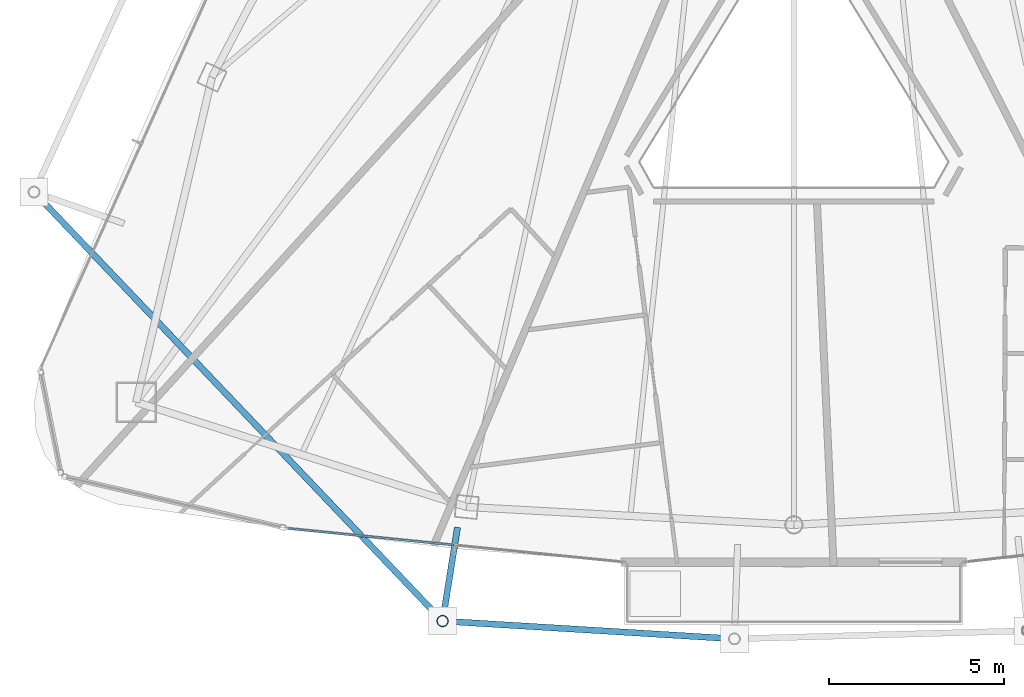
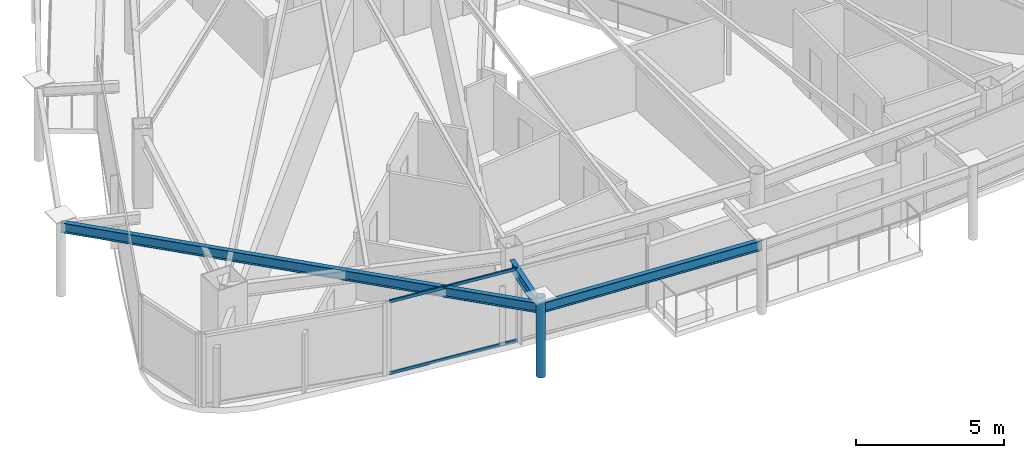
# One storey, part 3 of 30: 3 beams, 3 members, 1 element without a shape of its own.
"""IFC4 building model written with IfcOpenShell, lengths in metres."""

import ifcopenshell
import ifcopenshell.guid

model = None  # the IFC model being written
_history = None  # IfcOwnerHistory: only IFC2X3 demands one
_inside = {}  # id of a spatial element -> (the spatial element, [elements in it])
_under = {}  # id of a project, library or spatial element -> (it, [spatial elements below it])
_declared = {}  # id of a project -> (the project, [libraries it declares])
_typed = {}  # id of a type object -> (the type object, [elements of that type])
_made_of = {}  # id of a material, layer set ... -> (it, [elements and type objects made of it])


def new_model(schema):
    """Start an empty IFC model of exactly this schema.

    Asked for "IFC4X3", IfcOpenShell would pick the latest addendum, in which some entities
    have other attributes; the version numbers below select the first issue.
    IFC2X3 requires an IfcOwnerHistory on every rooted entity: one is made here for all.
    """
    global model, _history
    if schema == "IFC4X3":
        model = ifcopenshell.file(schema_version=(4, 3, 0, 0))
    else:
        model = ifcopenshell.file(schema=schema)
    _inside.clear()
    _under.clear()
    _declared.clear()
    _typed.clear()
    _made_of.clear()
    _history = None
    if model.schema == "IFC2X3":
        org = make("IfcOrganization", Name="unknown")
        user = make(
            "IfcPersonAndOrganization",
            ThePerson=make("IfcPerson", FamilyName="unknown"),
            TheOrganization=org,
        )
        app = make(
            "IfcApplication",
            ApplicationDeveloper=org,
            Version="unknown",
            ApplicationFullName="unknown",
            ApplicationIdentifier="unknown",
        )
        _history = make(
            "IfcOwnerHistory",
            OwningUser=user,
            OwningApplication=app,
            ChangeAction="ADDED",
            CreationDate=0,
        )
    return model


def make(cls, **values):
    """One entity of the class cls with the attributes given. An attribute that is None is left unset."""
    return model.create_entity(
        cls, **{name: value for name, value in values.items() if value is not None}
    )


def rooted(cls, **values):
    """An entity with a GlobalId (a new one), such as an element, a storey or a relation."""
    return make(cls, GlobalId=ifcopenshell.guid.new(), OwnerHistory=_history, **values)


def si_unit(unit_type, name, prefix=None):
    """IfcSIUnit, for example si_unit("LENGTHUNIT", "METRE", prefix="MILLI")."""
    return make("IfcSIUnit", UnitType=unit_type, Prefix=prefix, Name=name)


def assignment(units):
    """IfcUnitAssignment: the units of a project."""
    return None if units is None else make("IfcUnitAssignment", Units=units)


def point(xyz):
    """IfcCartesianPoint."""
    return None if xyz is None else make("IfcCartesianPoint", Coordinates=xyz)


def direction(xyz):
    """IfcDirection."""
    return None if xyz is None else make("IfcDirection", DirectionRatios=xyz)


def frame(location, z_axis=None, x_axis=None):
    """IfcAxis2Placement3D, a coordinate frame: its origin and axes. An axis left out is left unset."""
    return make(
        "IfcAxis2Placement3D",
        Location=point(location),
        Axis=direction(z_axis),
        RefDirection=direction(x_axis),
    )


def frame_2d(location, x_axis=None):
    """IfcAxis2Placement2D, a coordinate frame in the plane: its origin and x axis."""
    return make(
        "IfcAxis2Placement2D", Location=point(location), RefDirection=direction(x_axis)
    )


def origin():
    """The frame at (0, 0, 0) with its axes left unset."""
    return frame((0.0, 0.0, 0.0))


def origin_2d():
    """The frame at (0, 0) in the plane with its x axis left unset."""
    return frame_2d((0.0, 0.0))


def place(relative_to, where):
    """IfcLocalPlacement: puts the frame where relative to a parent placement (None: the world)."""
    return make(
        "IfcLocalPlacement", PlacementRelTo=relative_to, RelativePlacement=where
    )


def context(
    kind, dimensions, precision=None, world=None, true_north=None, identifier=None
):
    """IfcGeometricRepresentationContext, for example the 3D "Model" context."""
    return make(
        "IfcGeometricRepresentationContext",
        ContextIdentifier=identifier,
        ContextType=kind,
        CoordinateSpaceDimension=dimensions,
        Precision=precision,
        WorldCoordinateSystem=world,
        TrueNorth=true_north,
    )


def subcontext(parent, identifier, kind, view, scale=None):
    """IfcGeometricRepresentationSubContext, for example "Body" below "Model"."""
    return make(
        "IfcGeometricRepresentationSubContext",
        ContextIdentifier=identifier,
        ContextType=kind,
        ParentContext=parent,
        TargetScale=scale,
        TargetView=view,
    )


def project(units=None, contexts=None):
    """IfcProject with its units and contexts."""
    return rooted(
        "IfcProject",
        Name="project",
        RepresentationContexts=contexts,
        UnitsInContext=assignment(units),
    )


def spatial(cls, under=None, at=None, **own):
    """A site, building, storey or space (cls), placed at a placement, below another one or the project."""
    s = rooted(cls, ObjectPlacement=at, **own)
    if under is not None:
        _under.setdefault(under.id(), (under, []))[1].append(s)
    return s


def profile(cls, at=None, kind="AREA", **sizes):
    """A parametric profile (cls). Its sizes go by their IFC names, for example OverallWidth=200.0."""
    return make(cls, ProfileType=kind, Position=at, **sizes)


def hollow_rectangle(**sizes):
    """IfcRectangleHollowProfileDef."""
    return profile("IfcRectangleHollowProfileDef", **sizes)


def hollow_circle(**sizes):
    """IfcCircleHollowProfileDef."""
    return profile("IfcCircleHollowProfileDef", **sizes)


def i_section(**sizes):
    """IfcIShapeProfileDef."""
    return profile("IfcIShapeProfileDef", **sizes)


def extrude(swept, where, along, depth):
    """IfcExtrudedAreaSolid: the profile swept, set in the frame where, extruded along a direction by depth."""
    return make(
        "IfcExtrudedAreaSolid",
        SweptArea=swept,
        Position=where,
        ExtrudedDirection=direction(along),
        Depth=depth,
    )


def shape(context_of_items, identifier, shape_type, items):
    """IfcShapeRepresentation: the items that make up one representation, for example the "Body"."""
    return make(
        "IfcShapeRepresentation",
        ContextOfItems=context_of_items,
        RepresentationIdentifier=identifier,
        RepresentationType=shape_type,
        Items=items,
    )


def material(Name=None, Category=None):
    """IfcMaterial."""
    return make("IfcMaterial", Name=Name, Category=Category)


def layer(
    of_material, thickness, ventilated=None, Name=None, Category=None, Priority=None
):
    """IfcMaterialLayer: one layer of a wall or slab, of a material (None: an air gap)."""
    return make(
        "IfcMaterialLayer",
        Material=of_material,
        LayerThickness=thickness,
        IsVentilated=ventilated,
        Name=Name,
        Category=Category,
        Priority=Priority,
    )


def layer_set(layers, Name=None):
    """IfcMaterialLayerSet."""
    return make("IfcMaterialLayerSet", MaterialLayers=layers, LayerSetName=Name)


def material_profile(
    of_material, cross_section, Name=None, Category=None, Priority=None
):
    """IfcMaterialProfile: a cross section and its material."""
    return make(
        "IfcMaterialProfile",
        Name=Name,
        Material=of_material,
        Profile=cross_section,
        Priority=Priority,
        Category=Category,
    )


def profile_set(profiles, Name=None, composite=None):
    """IfcMaterialProfileSet."""
    return make(
        "IfcMaterialProfileSet",
        Name=Name,
        MaterialProfiles=profiles,
        CompositeProfile=composite,
    )


def made_of(thing, what):
    """Note that an element or type object is made of a material, layer set ...; save() writes the relation."""
    if what is not None:
        _made_of.setdefault(what.id(), (what, []))[1].append(thing)
    return thing


def type_object(cls, material=None, **own):
    """A type object (cls), such as IfcWallType, which elements share."""
    return made_of(rooted(cls, **own), material)


def element(
    cls,
    number,
    at=None,
    inside=None,
    cuts=None,
    type_object=None,
    material=None,
    context=None,
    identifier="Body",
    shape_type=None,
    held_by="IfcProductDefinitionShape",
    body=None,
    shapes=None,
    **own,
):
    """One element of the class cls, such as IfcWall. Its Tag is "e" and its number.

    at: its placement. inside: the storey or other place that contains it. cuts: it is an
    opening in that element (IfcRelVoidsElement). A single representation is given by context,
    identifier, shape_type and body (its items); several are given by shapes. held_by: the class
    of the entity that holds the representations. save() writes the other relations.
    """
    e = rooted(cls, Tag="e%d" % number, ObjectPlacement=at, **own)
    if body is not None:
        shapes = [shape(context, identifier, shape_type, body)]
    if shapes is not None:
        e.Representation = make(held_by, Representations=shapes)
    if inside is not None:
        _inside.setdefault(inside.id(), (inside, []))[1].append(e)
    if cuts is not None:
        rooted(
            "IfcRelVoidsElement", RelatingBuildingElement=cuts, RelatedOpeningElement=e
        )
    if type_object is not None:
        _typed.setdefault(type_object.id(), (type_object, []))[1].append(e)
    return made_of(e, material)


def aggregate(whole, parts):
    """IfcRelAggregates: a whole, such as a stair, and the parts it consists of."""
    return rooted("IfcRelAggregates", RelatingObject=whole, RelatedObjects=parts)


def save(model, path):
    """Write the relations noted so far, then the file.

    IfcRelAggregates (storeys below a building ...), IfcRelContainedInSpatialStructure (elements
    in a storey), IfcRelDefinesByType, IfcRelAssociatesMaterial and IfcRelDeclares: one each for
    every whole, place, type object, material and project.
    """
    for whole, parts in _under.values():
        aggregate(whole, parts)
    for where, things in _inside.values():
        rooted(
            "IfcRelContainedInSpatialStructure",
            RelatedElements=things,
            RelatingStructure=where,
        )
    for kind, things in _typed.values():
        rooted("IfcRelDefinesByType", RelatedObjects=things, RelatingType=kind)
    for what, things in _made_of.values():
        rooted("IfcRelAssociatesMaterial", RelatedObjects=things, RelatingMaterial=what)
    for by, libraries in _declared.values():
        rooted("IfcRelDeclares", RelatingContext=by, RelatedDefinitions=libraries)
    model.write(path)


model = new_model("IFC4")

# Units and contexts
model_context = context("Model", 3, precision=1e-05, world=origin(), true_north=direction((0.0, 1.0)))
body_context = subcontext(model_context, "Body", "Model", "MODEL_VIEW")
ifc_project = project(units=[si_unit("LENGTHUNIT", "METRE"), si_unit("AREAUNIT", "SQUARE_METRE"), si_unit("VOLUMEUNIT", "CUBIC_METRE"), si_unit("PLANEANGLEUNIT", "RADIAN"), si_unit("MASSUNIT", "GRAM", prefix="KILO")], contexts=[model_context])

# Site, building, storey
site_placement = place(None, origin())
site = spatial("IfcSite", under=ifc_project, at=site_placement, CompositionType="ELEMENT")
building_placement = place(site_placement, origin())
building = spatial("IfcBuilding", under=site, at=building_placement, Name="Orvanel Arch Residences", CompositionType="ELEMENT")
storey_placement = place(building_placement, frame((0.0, 0.0, 273.35009765625)))
storey = spatial("IfcBuildingStorey", under=building, at=storey_placement, Name="L78", CompositionType="ELEMENT", Elevation=273.35009765625)

# Beams
ifc_material_1 = material(Name="Structural steel AS/NZS 3679.1 Grade 300 (300 MPa)", Category="steel")
ifc_material_profile_1 = material_profile(ifc_material_1, i_section(OverallWidth=0.177978515625, OverallDepth=0.406005859375, WebThickness=0.0078125, FlangeThickness=0.0126953125, at=origin_2d()), Name="410UB59.7")
ifc_profile_set_1 = profile_set([ifc_material_profile_1], Name="Structural steel AS/NZS 3679.1 Grade 300 (300 MPa)")
beam_type = type_object("IfcBeamType", Name="OB-410UB-EXT", PredefinedType="SPANDREL", material=ifc_profile_set_1)
beam_1_placement = place(storey_placement, frame((11.277099609375, 16.35693359375, 2.81689453125), z_axis=(0.689656972069, -0.724136217073, 0.0), x_axis=(0.724136217073, 0.689656972069, 0.0)))
element("IfcBeam", 1, at=beam_1_placement, inside=storey, type_object=beam_type, Name="L78 Outer Perimeter Floor Ring Beam 04", PredefinedType="SPANDREL", context=body_context, shape_type="SweptSolid", body=[
    extrude(i_section(OverallWidth=0.177978515625, OverallDepth=0.406005859375, WebThickness=0.0078125, FlangeThickness=0.0126953125, at=origin_2d()), origin(), (0.0, 0.0, 1.0), 16.937255859375),
])
beam_2_placement = place(storey_placement, frame((23.385009765625, 6.77197265625, 2.81689453125), z_axis=(-0.157348363534, -0.987543159813, 0.0), x_axis=(0.987543159813, -0.157348363534, 0.0)))
element("IfcBeam", 2, at=beam_2_placement, inside=storey, type_object=beam_type, Name="L78 Outer Frame Radial Tie Beam 05", PredefinedType="SPANDREL", context=body_context, shape_type="SweptSolid", body=[
    extrude(i_section(OverallWidth=0.177978515625, OverallDepth=0.406005859375, WebThickness=0.0078125, FlangeThickness=0.0126953125, at=origin_2d()), origin(), (0.0, 0.0, 1.0), 2.713623046875),
])
beam_3_placement = place(storey_placement, frame((22.9580078125, 4.092041015625, 2.81689453125), z_axis=(0.998150977821, -0.06078343092, 0.0), x_axis=(0.06078343092, 0.998150977821, 0.0)))
element("IfcBeam", 3, at=beam_3_placement, inside=storey, type_object=beam_type, Name="L78 Outer Perimeter Floor Ring Beam 05", PredefinedType="SPANDREL", context=body_context, shape_type="SweptSolid", body=[
    extrude(i_section(OverallWidth=0.177978515625, OverallDepth=0.406005859375, WebThickness=0.0078125, FlangeThickness=0.0126953125, at=origin_2d()), origin(), (0.0, 0.0, 1.0), 8.3583984375),
])

# Member
ifc_material_2 = material(Name="Structural steel AS/NZS 1163 C350L0 (Grade 350)", Category="steel")
ifc_material_profile_2 = material_profile(ifc_material_2, hollow_circle(Radius=0.162109375, WallThickness=0.0126953125, at=origin_2d()), Name="CHS324x12.7")
ifc_profile_set_2 = profile_set([ifc_material_profile_2], Name="Structural steel AS/NZS 1163 C350L0 (Grade 350)")
member_type_1 = type_object("IfcMemberType", Name="ST-324CHS-EXT", PredefinedType="STRUT", material=ifc_profile_set_2)
member_1_placement = place(storey_placement, frame((22.9580078125, 4.092041015625, 0.0), z_axis=(0.0, 0.0, 1.0), x_axis=(1.0, 0.0, 0.0)))
element("IfcMember", 4, at=member_1_placement, inside=storey, type_object=member_type_1, Name="L78 Outer Perimeter Frame Post 05", PredefinedType="STRUT", context=body_context, shape_type="SweptSolid", body=[
    extrude(hollow_circle(Radius=0.162109375, WallThickness=0.0126953125, at=origin_2d()), origin(), (0.0, 0.0, 1.0), 3.2998046875),
])

# Curtain wall, members
ifc_material_3 = material(Name="Bronze-anodised aluminium AA6063-T6", Category="aluminium")
ifc_layer = layer(ifc_material_3, 0.175048828125)
ifc_layer_set = layer_set([ifc_layer], Name="Bronze-anodised aluminium AA6063-T6")
curtain_wall_type = type_object("IfcCurtainWallType", Name="CW4-HI-SYS", PredefinedType="NOTDEFINED", material=ifc_layer_set)
curtain_wall_placement = place(storey_placement, origin())
curtain_wall = element("IfcCurtainWall", 5, at=curtain_wall_placement, inside=storey, type_object=curtain_wall_type, Name="L78 CW4-HI-SYS Unitised Curtain Wall", PredefinedType="NOTDEFINED")
ifc_material_profile_3 = material_profile(ifc_material_3, hollow_rectangle(XDim=0.06005859375, YDim=0.1201171875, WallThickness=0.00341796875, at=origin_2d()), Name="ALU120x60x3.5")
ifc_profile_set_3 = profile_set([ifc_material_profile_3], Name="Bronze-anodised aluminium AA6063-T6")
member_type_2 = type_object("IfcMemberType", Name="TRN-120x60", PredefinedType="USERDEFINED", material=ifc_profile_set_3)
member_2_placement = place(storey_placement, frame((18.563720703125, 6.738525390625, 0.02978515625), z_axis=(0.994984605241, -0.100028172698, 0.0), x_axis=(0.100028172698, 0.994984605241, 0.0)))
member_2 = element("IfcMember", 6, at=member_2_placement, type_object=member_type_2, Name="CW-S4 transom 1.1", ObjectType="TRANSOM", PredefinedType="USERDEFINED", context=body_context, shape_type="SweptSolid", body=[
    extrude(hollow_rectangle(XDim=0.06005859375, YDim=0.1201171875, WallThickness=0.00341796875, at=origin_2d()), origin(), (0.0, 0.0, 1.0), 4.747314453125),
])
member_3_placement = place(storey_placement, frame((18.563720703125, 6.738525390625, 2.989990234375), z_axis=(0.994984605241, -0.100028172698, 0.0), x_axis=(0.100028172698, 0.994984605241, 0.0)))
member_3 = element("IfcMember", 7, at=member_3_placement, type_object=member_type_2, Name="CW-S4 transom 1.2", ObjectType="TRANSOM", PredefinedType="USERDEFINED", context=body_context, shape_type="SweptSolid", body=[
    extrude(hollow_rectangle(XDim=0.06005859375, YDim=0.1201171875, WallThickness=0.00341796875, at=origin_2d()), origin(), (0.0, 0.0, 1.0), 4.747314453125),
])
aggregate(curtain_wall, [member_2, member_3])

save(model, "model.ifc")
